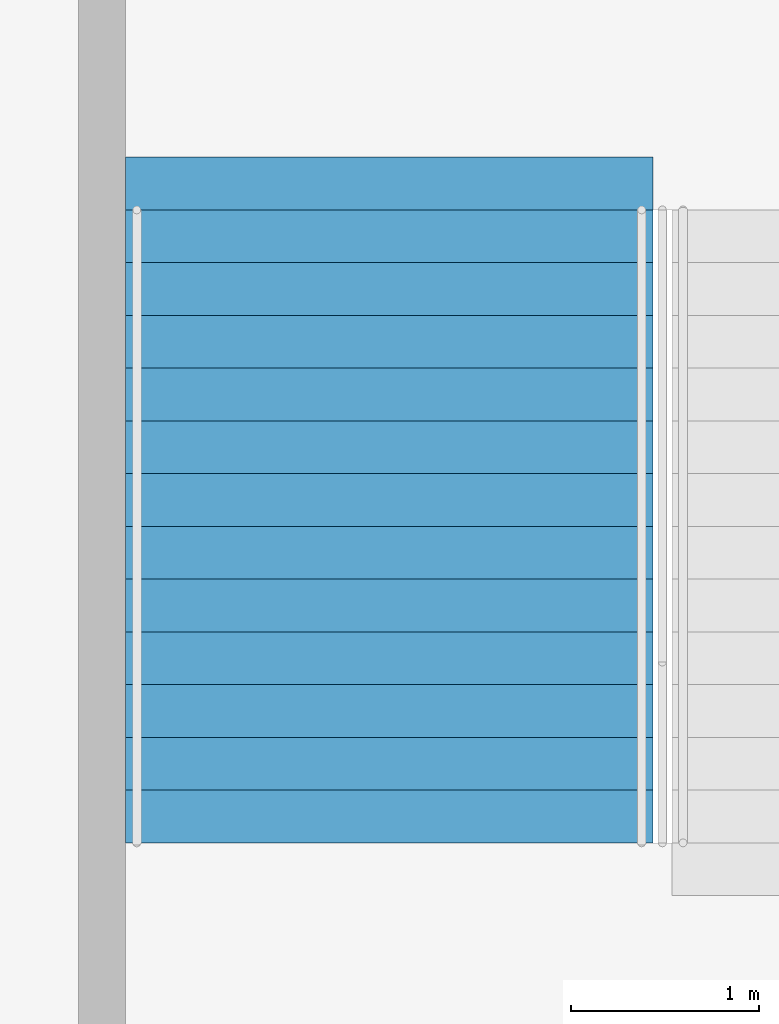
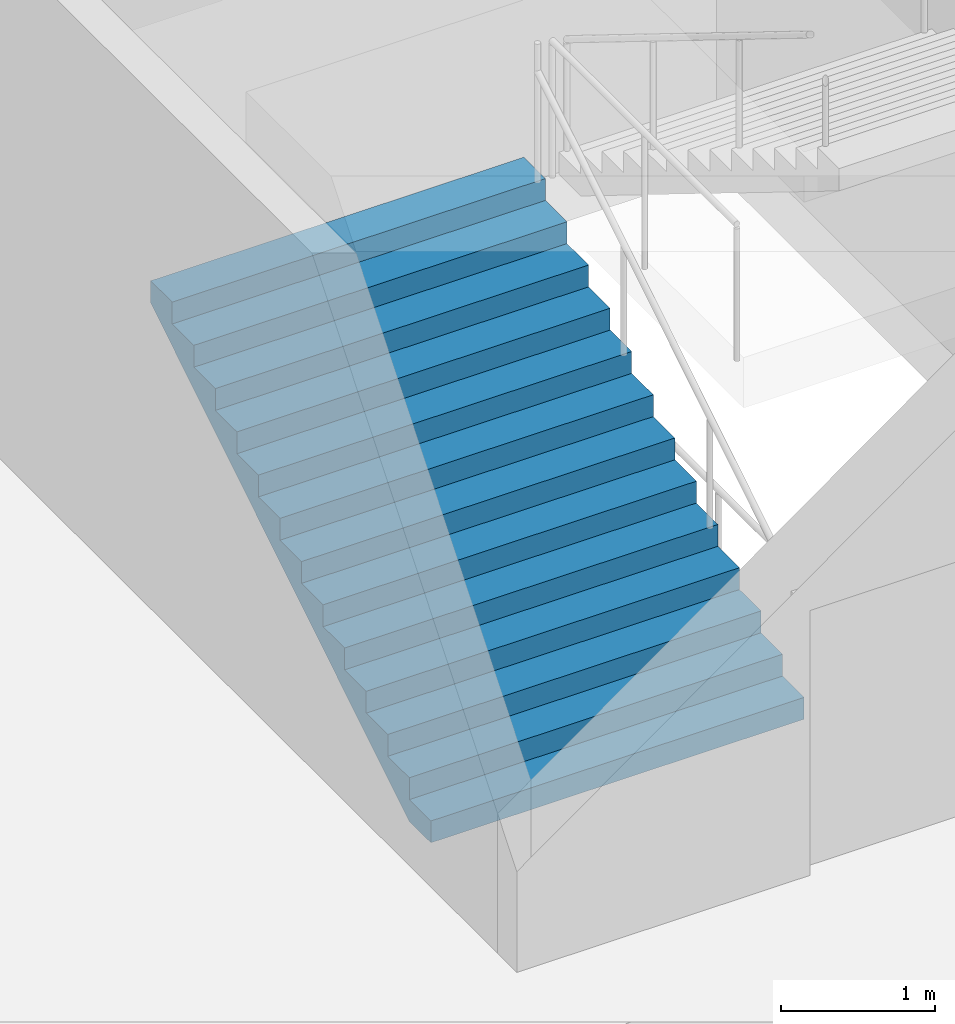
# One storey, part 136 of 175: 1 stair flight, 1 element without a shape of its own.
"""IFC4 building model written with IfcOpenShell, lengths in metres."""

import ifcopenshell
import ifcopenshell.guid

model = None  # the IFC model being written
_history = None  # IfcOwnerHistory: only IFC2X3 demands one
_inside = {}  # id of a spatial element -> (the spatial element, [elements in it])
_under = {}  # id of a project, library or spatial element -> (it, [spatial elements below it])
_declared = {}  # id of a project -> (the project, [libraries it declares])
_typed = {}  # id of a type object -> (the type object, [elements of that type])
_made_of = {}  # id of a material, layer set ... -> (it, [elements and type objects made of it])


def new_model(schema):
    """Start an empty IFC model of exactly this schema.

    Asked for "IFC4X3", IfcOpenShell would pick the latest addendum, in which some entities
    have other attributes; the version numbers below select the first issue.
    IFC2X3 requires an IfcOwnerHistory on every rooted entity: one is made here for all.
    """
    global model, _history
    if schema == "IFC4X3":
        model = ifcopenshell.file(schema_version=(4, 3, 0, 0))
    else:
        model = ifcopenshell.file(schema=schema)
    _inside.clear()
    _under.clear()
    _declared.clear()
    _typed.clear()
    _made_of.clear()
    _history = None
    if model.schema == "IFC2X3":
        org = make("IfcOrganization", Name="unknown")
        user = make(
            "IfcPersonAndOrganization",
            ThePerson=make("IfcPerson", FamilyName="unknown"),
            TheOrganization=org,
        )
        app = make(
            "IfcApplication",
            ApplicationDeveloper=org,
            Version="unknown",
            ApplicationFullName="unknown",
            ApplicationIdentifier="unknown",
        )
        _history = make(
            "IfcOwnerHistory",
            OwningUser=user,
            OwningApplication=app,
            ChangeAction="ADDED",
            CreationDate=0,
        )
    return model


def make(cls, **values):
    """One entity of the class cls with the attributes given. An attribute that is None is left unset."""
    return model.create_entity(
        cls, **{name: value for name, value in values.items() if value is not None}
    )


def rooted(cls, **values):
    """An entity with a GlobalId (a new one), such as an element, a storey or a relation."""
    return make(cls, GlobalId=ifcopenshell.guid.new(), OwnerHistory=_history, **values)


def si_unit(unit_type, name, prefix=None):
    """IfcSIUnit, for example si_unit("LENGTHUNIT", "METRE", prefix="MILLI")."""
    return make("IfcSIUnit", UnitType=unit_type, Prefix=prefix, Name=name)


def assignment(units):
    """IfcUnitAssignment: the units of a project."""
    return None if units is None else make("IfcUnitAssignment", Units=units)


def point(xyz):
    """IfcCartesianPoint."""
    return None if xyz is None else make("IfcCartesianPoint", Coordinates=xyz)


def direction(xyz):
    """IfcDirection."""
    return None if xyz is None else make("IfcDirection", DirectionRatios=xyz)


def frame(location, z_axis=None, x_axis=None):
    """IfcAxis2Placement3D, a coordinate frame: its origin and axes. An axis left out is left unset."""
    return make(
        "IfcAxis2Placement3D",
        Location=point(location),
        Axis=direction(z_axis),
        RefDirection=direction(x_axis),
    )


def origin():
    """The frame at (0, 0, 0) with its axes left unset."""
    return frame((0.0, 0.0, 0.0))


def place(relative_to, where):
    """IfcLocalPlacement: puts the frame where relative to a parent placement (None: the world)."""
    return make(
        "IfcLocalPlacement", PlacementRelTo=relative_to, RelativePlacement=where
    )


def context(
    kind, dimensions, precision=None, world=None, true_north=None, identifier=None
):
    """IfcGeometricRepresentationContext, for example the 3D "Model" context."""
    return make(
        "IfcGeometricRepresentationContext",
        ContextIdentifier=identifier,
        ContextType=kind,
        CoordinateSpaceDimension=dimensions,
        Precision=precision,
        WorldCoordinateSystem=world,
        TrueNorth=true_north,
    )


def subcontext(parent, identifier, kind, view, scale=None):
    """IfcGeometricRepresentationSubContext, for example "Body" below "Model"."""
    return make(
        "IfcGeometricRepresentationSubContext",
        ContextIdentifier=identifier,
        ContextType=kind,
        ParentContext=parent,
        TargetScale=scale,
        TargetView=view,
    )


def project(units=None, contexts=None):
    """IfcProject with its units and contexts."""
    return rooted(
        "IfcProject",
        Name="project",
        RepresentationContexts=contexts,
        UnitsInContext=assignment(units),
    )


def spatial(cls, under=None, at=None, **own):
    """A site, building, storey or space (cls), placed at a placement, below another one or the project."""
    s = rooted(cls, ObjectPlacement=at, **own)
    if under is not None:
        _under.setdefault(under.id(), (under, []))[1].append(s)
    return s


def faces_of(points, faces, orient=None, outer=None):
    """IfcFace entities. A face is a list of loops; a loop is a list of indices into points, from 0.

    orient and outer hold one flag for each loop. By default every Orientation is true, the
    first loop of a face is its IfcFaceOuterBound and the others are IfcFaceBound.
    """
    made = []
    for i, loops in enumerate(faces):
        bounds = []
        for j, loop in enumerate(loops):
            is_outer = j == 0 if outer is None else outer[i][j]
            bounds.append(
                make(
                    "IfcFaceOuterBound" if is_outer else "IfcFaceBound",
                    Bound=make("IfcPolyLoop", Polygon=[points[k] for k in loop]),
                    Orientation=True if orient is None else orient[i][j],
                )
            )
        made.append(make("IfcFace", Bounds=bounds))
    return made


def faceted_brep(points, faces, orient=None, outer=None, voids=None):
    """IfcFacetedBrep: a solid bounded by flat faces; with voids (closed shells), ...WithVoids."""
    shared = [point(p) for p in points]
    hull = make("IfcClosedShell", CfsFaces=faces_of(shared, faces, orient, outer))
    if voids is None:
        return make("IfcFacetedBrep", Outer=hull)
    return make(
        "IfcFacetedBrepWithVoids",
        Outer=hull,
        Voids=[
            make(cls, CfsFaces=faces_of(shared, fs, o, b)) for cls, fs, o, b in voids
        ],
    )


def shape(context_of_items, identifier, shape_type, items):
    """IfcShapeRepresentation: the items that make up one representation, for example the "Body"."""
    return make(
        "IfcShapeRepresentation",
        ContextOfItems=context_of_items,
        RepresentationIdentifier=identifier,
        RepresentationType=shape_type,
        Items=items,
    )


def material(Name=None, Category=None):
    """IfcMaterial."""
    return make("IfcMaterial", Name=Name, Category=Category)


def made_of(thing, what):
    """Note that an element or type object is made of a material, layer set ...; save() writes the relation."""
    if what is not None:
        _made_of.setdefault(what.id(), (what, []))[1].append(thing)
    return thing


def type_object(cls, material=None, **own):
    """A type object (cls), such as IfcWallType, which elements share."""
    return made_of(rooted(cls, **own), material)


def element(
    cls,
    number,
    at=None,
    inside=None,
    cuts=None,
    type_object=None,
    material=None,
    context=None,
    identifier="Body",
    shape_type=None,
    held_by="IfcProductDefinitionShape",
    body=None,
    shapes=None,
    **own,
):
    """One element of the class cls, such as IfcWall. Its Tag is "e" and its number.

    at: its placement. inside: the storey or other place that contains it. cuts: it is an
    opening in that element (IfcRelVoidsElement). A single representation is given by context,
    identifier, shape_type and body (its items); several are given by shapes. held_by: the class
    of the entity that holds the representations. save() writes the other relations.
    """
    e = rooted(cls, Tag="e%d" % number, ObjectPlacement=at, **own)
    if body is not None:
        shapes = [shape(context, identifier, shape_type, body)]
    if shapes is not None:
        e.Representation = make(held_by, Representations=shapes)
    if inside is not None:
        _inside.setdefault(inside.id(), (inside, []))[1].append(e)
    if cuts is not None:
        rooted(
            "IfcRelVoidsElement", RelatingBuildingElement=cuts, RelatedOpeningElement=e
        )
    if type_object is not None:
        _typed.setdefault(type_object.id(), (type_object, []))[1].append(e)
    return made_of(e, material)


def aggregate(whole, parts):
    """IfcRelAggregates: a whole, such as a stair, and the parts it consists of."""
    return rooted("IfcRelAggregates", RelatingObject=whole, RelatedObjects=parts)


def save(model, path):
    """Write the relations noted so far, then the file.

    IfcRelAggregates (storeys below a building ...), IfcRelContainedInSpatialStructure (elements
    in a storey), IfcRelDefinesByType, IfcRelAssociatesMaterial and IfcRelDeclares: one each for
    every whole, place, type object, material and project.
    """
    for whole, parts in _under.values():
        aggregate(whole, parts)
    for where, things in _inside.values():
        rooted(
            "IfcRelContainedInSpatialStructure",
            RelatedElements=things,
            RelatingStructure=where,
        )
    for kind, things in _typed.values():
        rooted("IfcRelDefinesByType", RelatedObjects=things, RelatingType=kind)
    for what, things in _made_of.values():
        rooted("IfcRelAssociatesMaterial", RelatedObjects=things, RelatingMaterial=what)
    for by, libraries in _declared.values():
        rooted("IfcRelDeclares", RelatingContext=by, RelatedDefinitions=libraries)
    model.write(path)


model = new_model("IFC4")

# Units and contexts
model_context = context("Model", 3, precision=1e-05, world=origin(), true_north=direction((0.0, 1.0)))
body_context = subcontext(model_context, "Body", "Model", "MODEL_VIEW")
ifc_project = project(units=[si_unit("LENGTHUNIT", "METRE"), si_unit("AREAUNIT", "SQUARE_METRE"), si_unit("VOLUMEUNIT", "CUBIC_METRE"), si_unit("PLANEANGLEUNIT", "RADIAN"), si_unit("MASSUNIT", "GRAM", prefix="KILO")], contexts=[model_context])

# Site, building, storey
site_placement = place(None, origin())
site = spatial("IfcSite", under=ifc_project, at=site_placement, CompositionType="ELEMENT")
building_placement = place(site_placement, origin())
building = spatial("IfcBuilding", under=site, at=building_placement, Name="Ogive Plaza Stadium", CompositionType="ELEMENT")
storey_placement = place(building_placement, origin())
storey = spatial("IfcBuildingStorey", under=building, at=storey_placement, Name="L00", CompositionType="ELEMENT", Elevation=0.0)

# Stair, stair flight
ifc_material_1 = material(Name="Concrete C40/50", Category="concrete")
stair_type = type_object("IfcStairType", Name="Exit stair", PredefinedType="STRAIGHT_RUN_STAIR", material=ifc_material_1)
stair_placement = place(storey_placement, origin())
stair = element("IfcStair", 1, at=stair_placement, inside=storey, type_object=stair_type, Name="Exit stair ST36B L00 to L01", PredefinedType="STRAIGHT_RUN_STAIR")
ifc_material_2 = material(Name="Concrete C40/50", Category="concrete")
stair_flight_type = type_object("IfcStairFlightType", Name="Exit stair flight", PredefinedType="STRAIGHT", material=ifc_material_2)
stair_flight_placement = place(storey_placement, frame((15.97509765625, 94.85009765625, 0.0), z_axis=(0.0, 0.0, 1.0), x_axis=(0.0, 1.0, 0.0)))
stair_flight = element("IfcStairFlight", 2, at=stair_flight_placement, type_object=stair_flight_type, Name="ST36B flight 1", NumberOfRisers=13, NumberOfTreads=12, PredefinedType="STRAIGHT", RiserHeight=0.173076923, TreadLength=0.28, context=body_context, shape_type="Brep", body=[
    faceted_brep([(0.28515625, -1.39990234375, 0.0), (3.639892578125, -1.39990234375, 2.07373046875), (3.639892578125, -1.39990234375, 2.25), (3.360107421875, -1.39990234375, 2.25), (3.360107421875, -1.39990234375, 2.076904296875), (3.080078125, -1.39990234375, 2.076904296875), (3.080078125, -1.39990234375, 1.90380859375), (2.800048828125, -1.39990234375, 1.90380859375), (2.800048828125, -1.39990234375, 1.730712890625), (2.52001953125, -1.39990234375, 1.730712890625), (2.52001953125, -1.39990234375, 1.5576171875), (2.239990234375, -1.39990234375, 1.5576171875), (2.239990234375, -1.39990234375, 1.384521484375), (1.9599609375, -1.39990234375, 1.384521484375), (1.9599609375, -1.39990234375, 1.21142578125), (1.679931640625, -1.39990234375, 1.21142578125), (1.679931640625, -1.39990234375, 1.03857421875), (1.39990234375, -1.39990234375, 1.03857421875), (1.39990234375, -1.39990234375, 0.865478515625), (1.1201171875, -1.39990234375, 0.865478515625), (1.1201171875, -1.39990234375, 0.6923828125), (0.840087890625, -1.39990234375, 0.6923828125), (0.840087890625, -1.39990234375, 0.519287109375), (0.56005859375, -1.39990234375, 0.519287109375), (0.56005859375, -1.39990234375, 0.34619140625), (0.280029296875, -1.39990234375, 0.34619140625), (0.280029296875, -1.39990234375, 0.173095703125), (0.0, -1.39990234375, 0.173095703125), (0.0, -1.39990234375, 0.0), (0.0, 1.39990234375, 0.0), (0.0, 1.39990234375, 0.173095703125), (0.280029296875, 1.39990234375, 0.173095703125), (0.280029296875, 1.39990234375, 0.34619140625), (0.56005859375, 1.39990234375, 0.34619140625), (0.56005859375, 1.39990234375, 0.519287109375), (0.840087890625, 1.39990234375, 0.519287109375), (0.840087890625, 1.39990234375, 0.6923828125), (1.1201171875, 1.39990234375, 0.6923828125), (1.1201171875, 1.39990234375, 0.865478515625), (1.39990234375, 1.39990234375, 0.865478515625), (1.39990234375, 1.39990234375, 1.03857421875), (1.679931640625, 1.39990234375, 1.03857421875), (1.679931640625, 1.39990234375, 1.21142578125), (1.9599609375, 1.39990234375, 1.21142578125), (1.9599609375, 1.39990234375, 1.384521484375), (2.239990234375, 1.39990234375, 1.384521484375), (2.239990234375, 1.39990234375, 1.5576171875), (2.52001953125, 1.39990234375, 1.5576171875), (2.52001953125, 1.39990234375, 1.730712890625), (2.800048828125, 1.39990234375, 1.730712890625), (2.800048828125, 1.39990234375, 1.90380859375), (3.080078125, 1.39990234375, 1.90380859375), (3.080078125, 1.39990234375, 2.076904296875), (3.360107421875, 1.39990234375, 2.076904296875), (3.360107421875, 1.39990234375, 2.25), (3.639892578125, 1.39990234375, 2.25), (3.639892578125, 1.39990234375, 2.07373046875), (0.28515625, 1.39990234375, 0.0), (0.28515625, -1.0888671875, 0.0), (3.639892578125, -1.0888671875, 2.07373046875), (0.28515625, -0.77783203125, 0.0), (3.639892578125, -0.77783203125, 2.07373046875), (0.28515625, -0.466796875, 0.0), (3.639892578125, -0.466796875, 2.07373046875), (0.28515625, -0.155517578125, 0.0), (3.639892578125, -0.155517578125, 2.07373046875), (0.28515625, 0.155517578125, 0.0), (3.639892578125, 0.155517578125, 2.07373046875), (0.28515625, 0.466796875, 0.0), (3.639892578125, 0.466796875, 2.07373046875), (0.28515625, 0.77783203125, 0.0), (3.639892578125, 0.77783203125, 2.07373046875), (0.28515625, 1.0888671875, 0.0), (3.639892578125, 1.0888671875, 2.07373046875), (3.639892578125, -1.0888671875, 2.25), (3.639892578125, -0.77783203125, 2.25), (3.639892578125, -0.466796875, 2.25), (3.639892578125, -0.155517578125, 2.25), (3.639892578125, 0.155517578125, 2.25), (3.639892578125, 0.466796875, 2.25), (3.639892578125, 0.77783203125, 2.25), (3.639892578125, 1.0888671875, 2.25), (3.360107421875, -1.0888671875, 2.25), (3.360107421875, -0.77783203125, 2.25), (3.360107421875, -0.466796875, 2.25), (3.360107421875, -0.155517578125, 2.25), (3.360107421875, 0.155517578125, 2.25), (3.360107421875, 0.466796875, 2.25), (3.360107421875, 0.77783203125, 2.25), (3.360107421875, 1.0888671875, 2.25), (3.360107421875, -1.0888671875, 2.076904296875), (3.360107421875, -0.77783203125, 2.076904296875), (3.360107421875, -0.466796875, 2.076904296875), (3.360107421875, -0.155517578125, 2.076904296875), (3.360107421875, 0.155517578125, 2.076904296875), (3.360107421875, 0.466796875, 2.076904296875), (3.360107421875, 0.77783203125, 2.076904296875), (3.360107421875, 1.0888671875, 2.076904296875), (3.080078125, -1.0888671875, 2.076904296875), (3.080078125, -0.77783203125, 2.076904296875), (3.080078125, -0.466796875, 2.076904296875), (3.080078125, -0.155517578125, 2.076904296875), (3.080078125, 0.155517578125, 2.076904296875), (3.080078125, 0.466796875, 2.076904296875), (3.080078125, 0.77783203125, 2.076904296875), (3.080078125, 1.0888671875, 2.076904296875), (3.080078125, -1.0888671875, 1.90380859375), (3.080078125, -0.77783203125, 1.90380859375), (3.080078125, -0.466796875, 1.90380859375), (3.080078125, -0.155517578125, 1.90380859375), (3.080078125, 0.155517578125, 1.90380859375), (3.080078125, 0.466796875, 1.90380859375), (3.080078125, 0.77783203125, 1.90380859375), (3.080078125, 1.0888671875, 1.90380859375), (2.800048828125, -1.0888671875, 1.90380859375), (2.800048828125, -0.77783203125, 1.90380859375), (2.800048828125, -0.466796875, 1.90380859375), (2.800048828125, -0.155517578125, 1.90380859375), (2.800048828125, 0.155517578125, 1.90380859375), (2.800048828125, 0.466796875, 1.90380859375), (2.800048828125, 0.77783203125, 1.90380859375), (2.800048828125, 1.0888671875, 1.90380859375), (2.800048828125, -1.0888671875, 1.730712890625), (2.800048828125, -0.77783203125, 1.730712890625), (2.800048828125, -0.466796875, 1.730712890625), (2.800048828125, -0.155517578125, 1.730712890625), (2.800048828125, 0.155517578125, 1.730712890625), (2.800048828125, 0.466796875, 1.730712890625), (2.800048828125, 0.77783203125, 1.730712890625), (2.800048828125, 1.0888671875, 1.730712890625), (2.52001953125, -1.0888671875, 1.730712890625), (2.52001953125, -0.77783203125, 1.730712890625), (2.52001953125, -0.466796875, 1.730712890625), (2.52001953125, -0.155517578125, 1.730712890625), (2.52001953125, 0.155517578125, 1.730712890625), (2.52001953125, 0.466796875, 1.730712890625), (2.52001953125, 0.77783203125, 1.730712890625), (2.52001953125, 1.0888671875, 1.730712890625), (2.52001953125, -1.0888671875, 1.5576171875), (2.52001953125, -0.77783203125, 1.5576171875), (2.52001953125, -0.466796875, 1.5576171875), (2.52001953125, -0.155517578125, 1.5576171875), (2.52001953125, 0.155517578125, 1.5576171875), (2.52001953125, 0.466796875, 1.5576171875), (2.52001953125, 0.77783203125, 1.5576171875), (2.52001953125, 1.0888671875, 1.5576171875), (2.239990234375, -1.0888671875, 1.5576171875), (2.239990234375, -0.77783203125, 1.5576171875), (2.239990234375, -0.466796875, 1.5576171875), (2.239990234375, -0.155517578125, 1.5576171875), (2.239990234375, 0.155517578125, 1.5576171875), (2.239990234375, 0.466796875, 1.5576171875), (2.239990234375, 0.77783203125, 1.5576171875), (2.239990234375, 1.0888671875, 1.5576171875), (2.239990234375, -1.0888671875, 1.384521484375), (2.239990234375, -0.77783203125, 1.384521484375), (2.239990234375, -0.466796875, 1.384521484375), (2.239990234375, -0.155517578125, 1.384521484375), (2.239990234375, 0.155517578125, 1.384521484375), (2.239990234375, 0.466796875, 1.384521484375), (2.239990234375, 0.77783203125, 1.384521484375), (2.239990234375, 1.0888671875, 1.384521484375), (1.9599609375, -1.0888671875, 1.384521484375), (1.9599609375, -0.77783203125, 1.384521484375), (1.9599609375, -0.466796875, 1.384521484375), (1.9599609375, -0.155517578125, 1.384521484375), (1.9599609375, 0.155517578125, 1.384521484375), (1.9599609375, 0.466796875, 1.384521484375), (1.9599609375, 0.77783203125, 1.384521484375), (1.9599609375, 1.0888671875, 1.384521484375), (1.9599609375, -1.0888671875, 1.21142578125), (1.9599609375, -0.77783203125, 1.21142578125), (1.9599609375, -0.466796875, 1.21142578125), (1.9599609375, -0.155517578125, 1.21142578125), (1.9599609375, 0.155517578125, 1.21142578125), (1.9599609375, 0.466796875, 1.21142578125), (1.9599609375, 0.77783203125, 1.21142578125), (1.9599609375, 1.0888671875, 1.21142578125), (1.679931640625, -1.0888671875, 1.21142578125), (1.679931640625, -0.77783203125, 1.21142578125), (1.679931640625, -0.466796875, 1.21142578125), (1.679931640625, -0.155517578125, 1.21142578125), (1.679931640625, 0.155517578125, 1.21142578125), (1.679931640625, 0.466796875, 1.21142578125), (1.679931640625, 0.77783203125, 1.21142578125), (1.679931640625, 1.0888671875, 1.21142578125), (1.679931640625, -1.0888671875, 1.03857421875), (1.679931640625, -0.77783203125, 1.03857421875), (1.679931640625, -0.466796875, 1.03857421875), (1.679931640625, -0.155517578125, 1.03857421875), (1.679931640625, 0.155517578125, 1.03857421875), (1.679931640625, 0.466796875, 1.03857421875), (1.679931640625, 0.77783203125, 1.03857421875), (1.679931640625, 1.0888671875, 1.03857421875), (1.39990234375, -1.0888671875, 1.03857421875), (1.39990234375, -0.77783203125, 1.03857421875), (1.39990234375, -0.466796875, 1.03857421875), (1.39990234375, -0.155517578125, 1.03857421875), (1.39990234375, 0.155517578125, 1.03857421875), (1.39990234375, 0.466796875, 1.03857421875), (1.39990234375, 0.77783203125, 1.03857421875), (1.39990234375, 1.0888671875, 1.03857421875), (1.39990234375, -1.0888671875, 0.865478515625), (1.39990234375, -0.77783203125, 0.865478515625), (1.39990234375, -0.466796875, 0.865478515625), (1.39990234375, -0.155517578125, 0.865478515625), (1.39990234375, 0.155517578125, 0.865478515625), (1.39990234375, 0.466796875, 0.865478515625), (1.39990234375, 0.77783203125, 0.865478515625), (1.39990234375, 1.0888671875, 0.865478515625), (1.1201171875, -1.0888671875, 0.865478515625), (1.1201171875, -0.77783203125, 0.865478515625), (1.1201171875, -0.466796875, 0.865478515625), (1.1201171875, -0.155517578125, 0.865478515625), (1.1201171875, 0.155517578125, 0.865478515625), (1.1201171875, 0.466796875, 0.865478515625), (1.1201171875, 0.77783203125, 0.865478515625), (1.1201171875, 1.0888671875, 0.865478515625), (1.1201171875, -1.0888671875, 0.6923828125), (1.1201171875, -0.77783203125, 0.6923828125), (1.1201171875, -0.466796875, 0.6923828125), (1.1201171875, -0.155517578125, 0.6923828125), (1.1201171875, 0.155517578125, 0.6923828125), (1.1201171875, 0.466796875, 0.6923828125), (1.1201171875, 0.77783203125, 0.6923828125), (1.1201171875, 1.0888671875, 0.6923828125), (0.840087890625, -1.0888671875, 0.6923828125), (0.840087890625, -0.77783203125, 0.6923828125), (0.840087890625, -0.466796875, 0.6923828125), (0.840087890625, -0.155517578125, 0.6923828125), (0.840087890625, 0.155517578125, 0.6923828125), (0.840087890625, 0.466796875, 0.6923828125), (0.840087890625, 0.77783203125, 0.6923828125), (0.840087890625, 1.0888671875, 0.6923828125), (0.840087890625, -1.0888671875, 0.519287109375), (0.840087890625, -0.77783203125, 0.519287109375), (0.840087890625, -0.466796875, 0.519287109375), (0.840087890625, -0.155517578125, 0.519287109375), (0.840087890625, 0.155517578125, 0.519287109375), (0.840087890625, 0.466796875, 0.519287109375), (0.840087890625, 0.77783203125, 0.519287109375), (0.840087890625, 1.0888671875, 0.519287109375), (0.56005859375, -1.0888671875, 0.519287109375), (0.56005859375, -0.77783203125, 0.519287109375), (0.56005859375, -0.466796875, 0.519287109375), (0.56005859375, -0.155517578125, 0.519287109375), (0.56005859375, 0.155517578125, 0.519287109375), (0.56005859375, 0.466796875, 0.519287109375), (0.56005859375, 0.77783203125, 0.519287109375), (0.56005859375, 1.0888671875, 0.519287109375), (0.56005859375, -1.0888671875, 0.34619140625), (0.56005859375, -0.77783203125, 0.34619140625), (0.56005859375, -0.466796875, 0.34619140625), (0.56005859375, -0.155517578125, 0.34619140625), (0.56005859375, 0.155517578125, 0.34619140625), (0.56005859375, 0.466796875, 0.34619140625), (0.56005859375, 0.77783203125, 0.34619140625), (0.56005859375, 1.0888671875, 0.34619140625), (0.280029296875, -1.0888671875, 0.34619140625), (0.280029296875, -0.77783203125, 0.34619140625), (0.280029296875, -0.466796875, 0.34619140625), (0.280029296875, -0.155517578125, 0.34619140625), (0.280029296875, 0.155517578125, 0.34619140625), (0.280029296875, 0.466796875, 0.34619140625), (0.280029296875, 0.77783203125, 0.34619140625), (0.280029296875, 1.0888671875, 0.34619140625), (0.280029296875, -1.0888671875, 0.173095703125), (0.280029296875, -0.77783203125, 0.173095703125), (0.280029296875, -0.466796875, 0.173095703125), (0.280029296875, -0.155517578125, 0.173095703125), (0.280029296875, 0.155517578125, 0.173095703125), (0.280029296875, 0.466796875, 0.173095703125), (0.280029296875, 0.77783203125, 0.173095703125), (0.280029296875, 1.0888671875, 0.173095703125), (0.0, -1.0888671875, 0.173095703125), (0.0, -0.77783203125, 0.173095703125), (0.0, -0.466796875, 0.173095703125), (0.0, -0.155517578125, 0.173095703125), (0.0, 0.155517578125, 0.173095703125), (0.0, 0.466796875, 0.173095703125), (0.0, 0.77783203125, 0.173095703125), (0.0, 1.0888671875, 0.173095703125), (0.0, -1.0888671875, 0.0), (0.0, -0.77783203125, 0.0), (0.0, -0.466796875, 0.0), (0.0, -0.155517578125, 0.0), (0.0, 0.155517578125, 0.0), (0.0, 0.466796875, 0.0), (0.0, 0.77783203125, 0.0), (0.0, 1.0888671875, 0.0)], [[[0, 1, 2, 3, 4, 5, 6, 7, 8, 9, 10, 11, 12, 13, 14, 15, 16, 17, 18, 19, 20, 21, 22, 23, 24, 25, 26, 27, 28]], [[29, 30, 31, 32, 33, 34, 35, 36, 37, 38, 39, 40, 41, 42, 43, 44, 45, 46, 47, 48, 49, 50, 51, 52, 53, 54, 55, 56, 57]], [[0, 58, 59, 1]], [[58, 60, 61, 59]], [[60, 62, 63, 61]], [[62, 64, 65, 63]], [[64, 66, 67, 65]], [[66, 68, 69, 67]], [[68, 70, 71, 69]], [[70, 72, 73, 71]], [[72, 57, 56, 73]], [[1, 59, 74, 2]], [[59, 61, 75, 74]], [[61, 63, 76, 75]], [[63, 65, 77, 76]], [[65, 67, 78, 77]], [[67, 69, 79, 78]], [[69, 71, 80, 79]], [[71, 73, 81, 80]], [[73, 56, 55, 81]], [[2, 74, 82, 3]], [[74, 75, 83, 82]], [[75, 76, 84, 83]], [[76, 77, 85, 84]], [[77, 78, 86, 85]], [[78, 79, 87, 86]], [[79, 80, 88, 87]], [[80, 81, 89, 88]], [[81, 55, 54, 89]], [[3, 82, 90, 4]], [[82, 83, 91, 90]], [[83, 84, 92, 91]], [[84, 85, 93, 92]], [[85, 86, 94, 93]], [[86, 87, 95, 94]], [[87, 88, 96, 95]], [[88, 89, 97, 96]], [[89, 54, 53, 97]], [[4, 90, 98, 5]], [[90, 91, 99, 98]], [[91, 92, 100, 99]], [[92, 93, 101, 100]], [[93, 94, 102, 101]], [[94, 95, 103, 102]], [[95, 96, 104, 103]], [[96, 97, 105, 104]], [[97, 53, 52, 105]], [[5, 98, 106, 6]], [[98, 99, 107, 106]], [[99, 100, 108, 107]], [[100, 101, 109, 108]], [[101, 102, 110, 109]], [[102, 103, 111, 110]], [[103, 104, 112, 111]], [[104, 105, 113, 112]], [[105, 52, 51, 113]], [[6, 106, 114, 7]], [[106, 107, 115, 114]], [[107, 108, 116, 115]], [[108, 109, 117, 116]], [[109, 110, 118, 117]], [[110, 111, 119, 118]], [[111, 112, 120, 119]], [[112, 113, 121, 120]], [[113, 51, 50, 121]], [[7, 114, 122, 8]], [[114, 115, 123, 122]], [[115, 116, 124, 123]], [[116, 117, 125, 124]], [[117, 118, 126, 125]], [[118, 119, 127, 126]], [[119, 120, 128, 127]], [[120, 121, 129, 128]], [[121, 50, 49, 129]], [[8, 122, 130, 9]], [[122, 123, 131, 130]], [[123, 124, 132, 131]], [[124, 125, 133, 132]], [[125, 126, 134, 133]], [[126, 127, 135, 134]], [[127, 128, 136, 135]], [[128, 129, 137, 136]], [[129, 49, 48, 137]], [[9, 130, 138, 10]], [[130, 131, 139, 138]], [[131, 132, 140, 139]], [[132, 133, 141, 140]], [[133, 134, 142, 141]], [[134, 135, 143, 142]], [[135, 136, 144, 143]], [[136, 137, 145, 144]], [[137, 48, 47, 145]], [[10, 138, 146, 11]], [[138, 139, 147, 146]], [[139, 140, 148, 147]], [[140, 141, 149, 148]], [[141, 142, 150, 149]], [[142, 143, 151, 150]], [[143, 144, 152, 151]], [[144, 145, 153, 152]], [[145, 47, 46, 153]], [[11, 146, 154, 12]], [[146, 147, 155, 154]], [[147, 148, 156, 155]], [[148, 149, 157, 156]], [[149, 150, 158, 157]], [[150, 151, 159, 158]], [[151, 152, 160, 159]], [[152, 153, 161, 160]], [[153, 46, 45, 161]], [[12, 154, 162, 13]], [[154, 155, 163, 162]], [[155, 156, 164, 163]], [[156, 157, 165, 164]], [[157, 158, 166, 165]], [[158, 159, 167, 166]], [[159, 160, 168, 167]], [[160, 161, 169, 168]], [[161, 45, 44, 169]], [[13, 162, 170, 14]], [[162, 163, 171, 170]], [[163, 164, 172, 171]], [[164, 165, 173, 172]], [[165, 166, 174, 173]], [[166, 167, 175, 174]], [[167, 168, 176, 175]], [[168, 169, 177, 176]], [[169, 44, 43, 177]], [[14, 170, 178, 15]], [[170, 171, 179, 178]], [[171, 172, 180, 179]], [[172, 173, 181, 180]], [[173, 174, 182, 181]], [[174, 175, 183, 182]], [[175, 176, 184, 183]], [[176, 177, 185, 184]], [[177, 43, 42, 185]], [[15, 178, 186, 16]], [[178, 179, 187, 186]], [[179, 180, 188, 187]], [[180, 181, 189, 188]], [[181, 182, 190, 189]], [[182, 183, 191, 190]], [[183, 184, 192, 191]], [[184, 185, 193, 192]], [[185, 42, 41, 193]], [[16, 186, 194, 17]], [[186, 187, 195, 194]], [[187, 188, 196, 195]], [[188, 189, 197, 196]], [[189, 190, 198, 197]], [[190, 191, 199, 198]], [[191, 192, 200, 199]], [[192, 193, 201, 200]], [[193, 41, 40, 201]], [[17, 194, 202, 18]], [[194, 195, 203, 202]], [[195, 196, 204, 203]], [[196, 197, 205, 204]], [[197, 198, 206, 205]], [[198, 199, 207, 206]], [[199, 200, 208, 207]], [[200, 201, 209, 208]], [[201, 40, 39, 209]], [[18, 202, 210, 19]], [[202, 203, 211, 210]], [[203, 204, 212, 211]], [[204, 205, 213, 212]], [[205, 206, 214, 213]], [[206, 207, 215, 214]], [[207, 208, 216, 215]], [[208, 209, 217, 216]], [[209, 39, 38, 217]], [[19, 210, 218, 20]], [[210, 211, 219, 218]], [[211, 212, 220, 219]], [[212, 213, 221, 220]], [[213, 214, 222, 221]], [[214, 215, 223, 222]], [[215, 216, 224, 223]], [[216, 217, 225, 224]], [[217, 38, 37, 225]], [[20, 218, 226, 21]], [[218, 219, 227, 226]], [[219, 220, 228, 227]], [[220, 221, 229, 228]], [[221, 222, 230, 229]], [[222, 223, 231, 230]], [[223, 224, 232, 231]], [[224, 225, 233, 232]], [[225, 37, 36, 233]], [[21, 226, 234, 22]], [[226, 227, 235, 234]], [[227, 228, 236, 235]], [[228, 229, 237, 236]], [[229, 230, 238, 237]], [[230, 231, 239, 238]], [[231, 232, 240, 239]], [[232, 233, 241, 240]], [[233, 36, 35, 241]], [[22, 234, 242, 23]], [[234, 235, 243, 242]], [[235, 236, 244, 243]], [[236, 237, 245, 244]], [[237, 238, 246, 245]], [[238, 239, 247, 246]], [[239, 240, 248, 247]], [[240, 241, 249, 248]], [[241, 35, 34, 249]], [[23, 242, 250, 24]], [[242, 243, 251, 250]], [[243, 244, 252, 251]], [[244, 245, 253, 252]], [[245, 246, 254, 253]], [[246, 247, 255, 254]], [[247, 248, 256, 255]], [[248, 249, 257, 256]], [[249, 34, 33, 257]], [[24, 250, 258, 25]], [[250, 251, 259, 258]], [[251, 252, 260, 259]], [[252, 253, 261, 260]], [[253, 254, 262, 261]], [[254, 255, 263, 262]], [[255, 256, 264, 263]], [[256, 257, 265, 264]], [[257, 33, 32, 265]], [[25, 258, 266, 26]], [[258, 259, 267, 266]], [[259, 260, 268, 267]], [[260, 261, 269, 268]], [[261, 262, 270, 269]], [[262, 263, 271, 270]], [[263, 264, 272, 271]], [[264, 265, 273, 272]], [[265, 32, 31, 273]], [[26, 266, 274, 27]], [[266, 267, 275, 274]], [[267, 268, 276, 275]], [[268, 269, 277, 276]], [[269, 270, 278, 277]], [[270, 271, 279, 278]], [[271, 272, 280, 279]], [[272, 273, 281, 280]], [[273, 31, 30, 281]], [[27, 274, 282, 28]], [[274, 275, 283, 282]], [[275, 276, 284, 283]], [[276, 277, 285, 284]], [[277, 278, 286, 285]], [[278, 279, 287, 286]], [[279, 280, 288, 287]], [[280, 281, 289, 288]], [[281, 30, 29, 289]], [[28, 282, 58, 0]], [[282, 283, 60, 58]], [[283, 284, 62, 60]], [[284, 285, 64, 62]], [[285, 286, 66, 64]], [[286, 287, 68, 66]], [[287, 288, 70, 68]], [[288, 289, 72, 70]], [[289, 29, 57, 72]]]),
])
aggregate(stair, [stair_flight])

save(model, "model.ifc")
